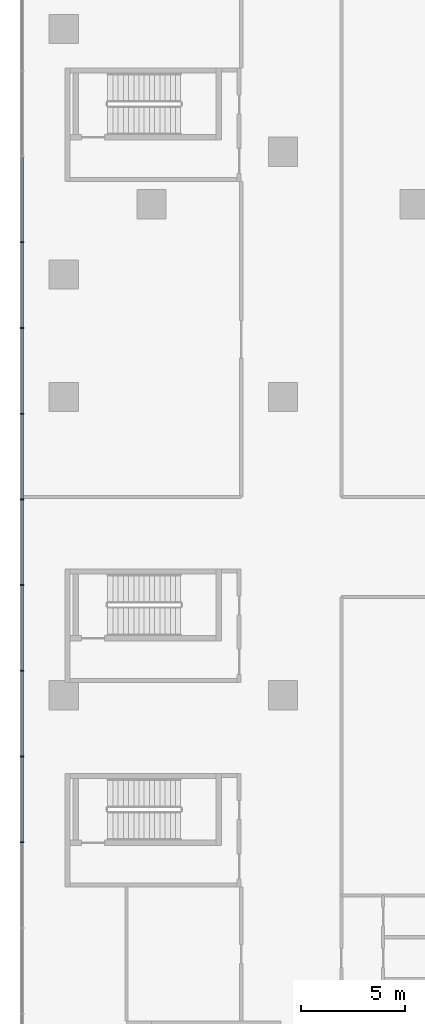
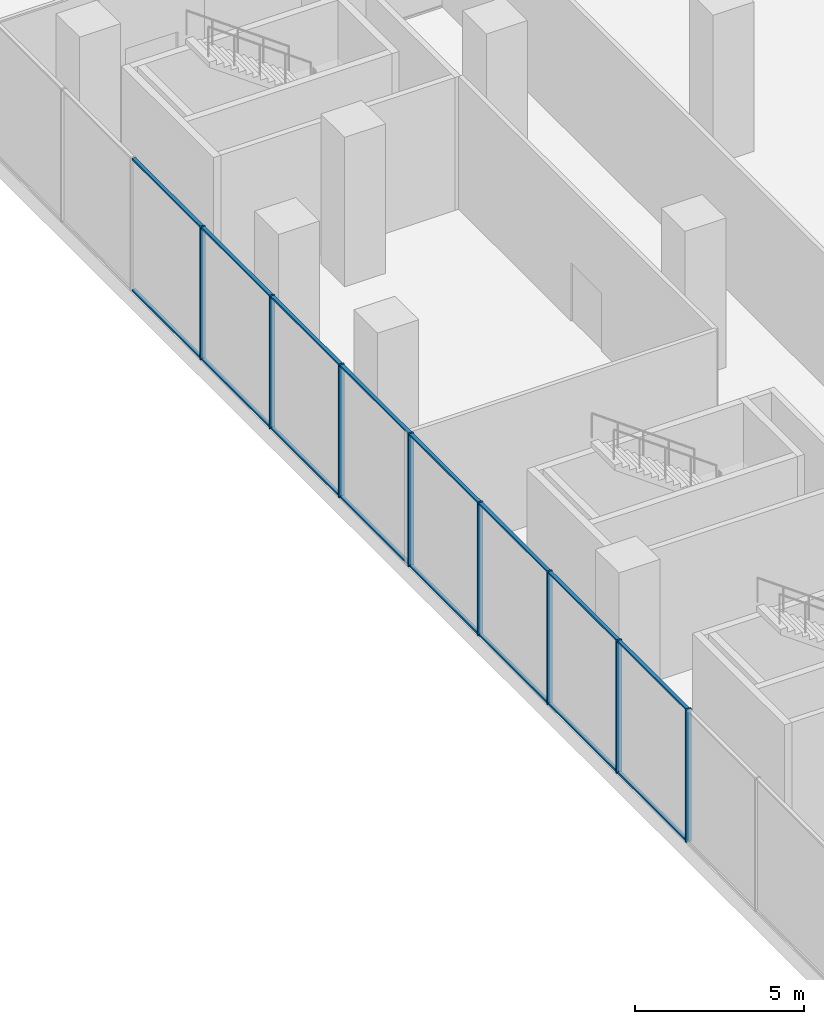
# One storey, part 6 of 24: 24 members, 1 element without a shape of its own.
"""IFC4 building model written with IfcOpenShell, lengths in metres."""

from ifc_helpers import new_model, si_unit, direction, frame, origin, origin_2d, place, context, subcontext, project, spatial, rectangle, extrude, source, transform, mapped, material, layer, layer_set, material_profile, profile_set, type_object, element, aggregate, save


model = new_model("IFC4")

# Units and contexts
model_context = context("Model", 3, precision=1e-05, world=origin(), true_north=direction((0.0, 1.0)))
body_context = subcontext(model_context, "Body", "Model", "MODEL_VIEW")
ifc_project = project(units=[si_unit("LENGTHUNIT", "METRE"), si_unit("AREAUNIT", "SQUARE_METRE"), si_unit("VOLUMEUNIT", "CUBIC_METRE"), si_unit("PLANEANGLEUNIT", "RADIAN"), si_unit("MASSUNIT", "GRAM", prefix="KILO")], contexts=[model_context])

# Site, building, storey
site_placement = place(None, origin())
site = spatial("IfcSite", under=ifc_project, at=site_placement, CompositionType="ELEMENT")
building_placement = place(site_placement, origin())
building = spatial("IfcBuilding", under=site, at=building_placement, Name="Aurelian Terraces", CompositionType="ELEMENT")
storey_placement = place(building_placement, frame((0.0, 0.0, 12.9)))
storey = spatial("IfcBuildingStorey", under=building, at=storey_placement, Name="L02", CompositionType="ELEMENT", Elevation=12.9)

# Curtain wall, members
ifc_material_1 = material(Name="Anodised aluminium and clear glazing", Category="aluminium")
ifc_layer = layer(ifc_material_1, 0.2)
ifc_layer_set = layer_set([ifc_layer], Name="Winter garden glazing curtain wall")
curtain_wall_type = type_object("IfcCurtainWallType", Name="Winter garden glazing curtain wall", PredefinedType="NOTDEFINED", material=ifc_layer_set)
curtain_wall_placement = place(storey_placement, origin())
curtain_wall = element("IfcCurtainWall", 1, at=curtain_wall_placement, inside=storey, type_object=curtain_wall_type, Name="Winter garden glazing L02 F06.1", PredefinedType="NOTDEFINED")
ifc_material_2 = material(Name="Anodised aluminium", Category="aluminium")
ifc_material_profile_1 = material_profile(ifc_material_2, rectangle(XDim=0.12, YDim=0.06, at=origin_2d()))
ifc_profile_set_1 = profile_set([ifc_material_profile_1], Name="Anodised aluminium")
member_type_1 = type_object("IfcMemberType", Name="Winter garden glazing transom", PredefinedType="USERDEFINED", material=ifc_profile_set_1)
member_1_placement = place(storey_placement, frame((-2.0, 63.5767, 0.03), z_axis=(0.0, -1.0, 0.0), x_axis=(1.0, 0.0, 0.0)))
member_1 = element("IfcMember", 2, at=member_1_placement, type_object=member_type_1, Name="CW6 transom 3.1", ObjectType="TRANSOM", PredefinedType="USERDEFINED", context=body_context, shape_type="SweptSolid", body=[
    extrude(rectangle(XDim=0.12, YDim=0.06, at=origin_2d()), origin(), (0.0, 0.0, 1.0), 4.0467),
])
ifc_material_profile_2 = material_profile(ifc_material_2, rectangle(XDim=0.18, YDim=0.06, at=origin_2d()))
ifc_profile_set_2 = profile_set([ifc_material_profile_2], Name="Anodised aluminium")
member_type_2 = type_object("IfcMemberType", Name="Winter garden glazing mullion", PredefinedType="MULLION", material=ifc_profile_set_2)
shared_shape_1 = source(origin(), body_context, "Body", "SweptSolid", [
    extrude(rectangle(XDim=0.18, YDim=0.06, at=origin_2d()), origin(), (0.0, 0.0, 1.0), 4.8),
])
member_2_placement = place(storey_placement, frame((-2.0, 59.5, 0.0), z_axis=(0.0, 0.0, 1.0), x_axis=(1.0, 0.0, 0.0)))
member_2 = element("IfcMember", 3, at=member_2_placement, type_object=member_type_2, Name="CW6 mullion 4", PredefinedType="MULLION", context=body_context, shape_type="MappedRepresentation", body=[
    mapped(shared_shape_1, transform((0.0, 0.0, 0.0), scale=1.0)),
])
member_3_placement = place(storey_placement, frame((-2.0, 55.3933, 0.0), z_axis=(0.0, 0.0, 1.0), x_axis=(1.0, 0.0, 0.0)))
member_3 = element("IfcMember", 4, at=member_3_placement, type_object=member_type_2, Name="CW6 mullion 5", PredefinedType="MULLION", context=body_context, shape_type="MappedRepresentation", body=[
    mapped(shared_shape_1, transform((0.0, 0.0, 0.0), scale=1.0)),
])
member_4_placement = place(storey_placement, frame((-2.0, 51.2867, 0.0), z_axis=(0.0, 0.0, 1.0), x_axis=(1.0, 0.0, 0.0)))
member_4 = element("IfcMember", 5, at=member_4_placement, type_object=member_type_2, Name="CW6 mullion 6", PredefinedType="MULLION", context=body_context, shape_type="MappedRepresentation", body=[
    mapped(shared_shape_1, transform((0.0, 0.0, 0.0), scale=1.0)),
])
member_5_placement = place(storey_placement, frame((-2.0, 47.18, 0.0), z_axis=(0.0, 0.0, 1.0), x_axis=(1.0, 0.0, 0.0)))
member_5 = element("IfcMember", 6, at=member_5_placement, type_object=member_type_2, Name="CW6 mullion 7", PredefinedType="MULLION", context=body_context, shape_type="MappedRepresentation", body=[
    mapped(shared_shape_1, transform((0.0, 0.0, 0.0), scale=1.0)),
])
member_6_placement = place(storey_placement, frame((-2.0, 43.0733, 0.0), z_axis=(0.0, 0.0, 1.0), x_axis=(1.0, 0.0, 0.0)))
member_6 = element("IfcMember", 7, at=member_6_placement, type_object=member_type_2, Name="CW6 mullion 8", PredefinedType="MULLION", context=body_context, shape_type="MappedRepresentation", body=[
    mapped(shared_shape_1, transform((0.0, 0.0, 0.0), scale=1.0)),
])
member_7_placement = place(storey_placement, frame((-2.0, 38.9667, 0.0), z_axis=(0.0, 0.0, 1.0), x_axis=(1.0, 0.0, 0.0)))
member_7 = element("IfcMember", 8, at=member_7_placement, type_object=member_type_2, Name="CW6 mullion 9", PredefinedType="MULLION", context=body_context, shape_type="MappedRepresentation", body=[
    mapped(shared_shape_1, transform((0.0, 0.0, 0.0), scale=1.0)),
])
member_8_placement = place(storey_placement, frame((-2.0, 34.86, 0.0), z_axis=(0.0, 0.0, 1.0), x_axis=(1.0, 0.0, 0.0)))
member_8 = element("IfcMember", 9, at=member_8_placement, type_object=member_type_2, Name="CW6 mullion 10", PredefinedType="MULLION", context=body_context, shape_type="MappedRepresentation", body=[
    mapped(shared_shape_1, transform((0.0, 0.0, 0.0), scale=1.0)),
])
member_9_placement = place(storey_placement, frame((-2.0, 30.7533, 0.0), z_axis=(0.0, 0.0, 1.0), x_axis=(1.0, 0.0, 0.0)))
member_9 = element("IfcMember", 10, at=member_9_placement, type_object=member_type_2, Name="CW6 mullion 11", PredefinedType="MULLION", context=body_context, shape_type="MappedRepresentation", body=[
    mapped(shared_shape_1, transform((0.0, 0.0, 0.0), scale=1.0)),
])
shared_shape_2 = source(origin(), body_context, "Body", "SweptSolid", [
    extrude(rectangle(XDim=0.12, YDim=0.06, at=origin_2d()), origin(), (0.0, 0.0, 1.0), 4.0466),
])
member_10_placement = place(storey_placement, frame((-2.0, 55.3633, 0.03), z_axis=(0.0, -1.0, 0.0), x_axis=(1.0, 0.0, 0.0)))
member_10 = element("IfcMember", 11, at=member_10_placement, type_object=member_type_1, Name="CW6 transom 5.1", ObjectType="TRANSOM", PredefinedType="USERDEFINED", context=body_context, shape_type="MappedRepresentation", body=[
    mapped(shared_shape_2, transform((0.0, 0.0, 0.0), scale=1.0)),
])
member_11_placement = place(storey_placement, frame((-2.0, 55.3633, 4.77), z_axis=(0.0, -1.0, 0.0), x_axis=(1.0, 0.0, 0.0)))
member_11 = element("IfcMember", 12, at=member_11_placement, type_object=member_type_1, Name="CW6 transom 5.2", ObjectType="TRANSOM", PredefinedType="USERDEFINED", context=body_context, shape_type="MappedRepresentation", body=[
    mapped(shared_shape_2, transform((0.0, 0.0, 0.0), scale=1.0)),
])
member_12_placement = place(storey_placement, frame((-2.0, 43.0433, 0.03), z_axis=(0.0, -1.0, 0.0), x_axis=(1.0, 0.0, 0.0)))
member_12 = element("IfcMember", 13, at=member_12_placement, type_object=member_type_1, Name="CW6 transom 8.1", ObjectType="TRANSOM", PredefinedType="USERDEFINED", context=body_context, shape_type="MappedRepresentation", body=[
    mapped(shared_shape_2, transform((0.0, 0.0, 0.0), scale=1.0)),
])
member_13_placement = place(storey_placement, frame((-2.0, 43.0433, 4.77), z_axis=(0.0, -1.0, 0.0), x_axis=(1.0, 0.0, 0.0)))
member_13 = element("IfcMember", 14, at=member_13_placement, type_object=member_type_1, Name="CW6 transom 8.2", ObjectType="TRANSOM", PredefinedType="USERDEFINED", context=body_context, shape_type="MappedRepresentation", body=[
    mapped(shared_shape_2, transform((0.0, 0.0, 0.0), scale=1.0)),
])
shared_shape_3 = source(origin(), body_context, "Body", "SweptSolid", [
    extrude(rectangle(XDim=0.12, YDim=0.06, at=origin_2d()), origin(), (0.0, 0.0, 1.0), 4.0467),
])
member_14_placement = place(storey_placement, frame((-2.0, 63.5767, 4.77), z_axis=(0.0, -1.0, 0.0), x_axis=(1.0, 0.0, 0.0)))
member_14 = element("IfcMember", 15, at=member_14_placement, type_object=member_type_1, Name="CW6 transom 3.2", ObjectType="TRANSOM", PredefinedType="USERDEFINED", context=body_context, shape_type="MappedRepresentation", body=[
    mapped(shared_shape_3, transform((0.0, 0.0, 0.0), scale=1.0)),
])
member_15_placement = place(storey_placement, frame((-2.0, 59.47, 0.03), z_axis=(0.0, -1.0, 0.0), x_axis=(1.0, 0.0, 0.0)))
member_15 = element("IfcMember", 16, at=member_15_placement, type_object=member_type_1, Name="CW6 transom 4.1", ObjectType="TRANSOM", PredefinedType="USERDEFINED", context=body_context, shape_type="MappedRepresentation", body=[
    mapped(shared_shape_3, transform((0.0, 0.0, 0.0), scale=1.0)),
])
member_16_placement = place(storey_placement, frame((-2.0, 59.47, 4.77), z_axis=(0.0, -1.0, 0.0), x_axis=(1.0, 0.0, 0.0)))
member_16 = element("IfcMember", 17, at=member_16_placement, type_object=member_type_1, Name="CW6 transom 4.2", ObjectType="TRANSOM", PredefinedType="USERDEFINED", context=body_context, shape_type="MappedRepresentation", body=[
    mapped(shared_shape_3, transform((0.0, 0.0, 0.0), scale=1.0)),
])
member_17_placement = place(storey_placement, frame((-2.0, 51.2567, 0.03), z_axis=(0.0, -1.0, 0.0), x_axis=(1.0, 0.0, 0.0)))
member_17 = element("IfcMember", 18, at=member_17_placement, type_object=member_type_1, Name="CW6 transom 6.1", ObjectType="TRANSOM", PredefinedType="USERDEFINED", context=body_context, shape_type="MappedRepresentation", body=[
    mapped(shared_shape_3, transform((0.0, 0.0, 0.0), scale=1.0)),
])
member_18_placement = place(storey_placement, frame((-2.0, 51.2567, 4.77), z_axis=(0.0, -1.0, 0.0), x_axis=(1.0, 0.0, 0.0)))
member_18 = element("IfcMember", 19, at=member_18_placement, type_object=member_type_1, Name="CW6 transom 6.2", ObjectType="TRANSOM", PredefinedType="USERDEFINED", context=body_context, shape_type="MappedRepresentation", body=[
    mapped(shared_shape_3, transform((0.0, 0.0, 0.0), scale=1.0)),
])
member_19_placement = place(storey_placement, frame((-2.0, 47.15, 0.03), z_axis=(0.0, -1.0, 0.0), x_axis=(1.0, 0.0, 0.0)))
member_19 = element("IfcMember", 20, at=member_19_placement, type_object=member_type_1, Name="CW6 transom 7.1", ObjectType="TRANSOM", PredefinedType="USERDEFINED", context=body_context, shape_type="MappedRepresentation", body=[
    mapped(shared_shape_3, transform((0.0, 0.0, 0.0), scale=1.0)),
])
member_20_placement = place(storey_placement, frame((-2.0, 47.15, 4.77), z_axis=(0.0, -1.0, 0.0), x_axis=(1.0, 0.0, 0.0)))
member_20 = element("IfcMember", 21, at=member_20_placement, type_object=member_type_1, Name="CW6 transom 7.2", ObjectType="TRANSOM", PredefinedType="USERDEFINED", context=body_context, shape_type="MappedRepresentation", body=[
    mapped(shared_shape_3, transform((0.0, 0.0, 0.0), scale=1.0)),
])
member_21_placement = place(storey_placement, frame((-2.0, 38.9367, 0.03), z_axis=(0.0, -1.0, 0.0), x_axis=(1.0, 0.0, 0.0)))
member_21 = element("IfcMember", 22, at=member_21_placement, type_object=member_type_1, Name="CW6 transom 9.1", ObjectType="TRANSOM", PredefinedType="USERDEFINED", context=body_context, shape_type="MappedRepresentation", body=[
    mapped(shared_shape_3, transform((0.0, 0.0, 0.0), scale=1.0)),
])
member_22_placement = place(storey_placement, frame((-2.0, 38.9367, 4.77), z_axis=(0.0, -1.0, 0.0), x_axis=(1.0, 0.0, 0.0)))
member_22 = element("IfcMember", 23, at=member_22_placement, type_object=member_type_1, Name="CW6 transom 9.2", ObjectType="TRANSOM", PredefinedType="USERDEFINED", context=body_context, shape_type="MappedRepresentation", body=[
    mapped(shared_shape_3, transform((0.0, 0.0, 0.0), scale=1.0)),
])
member_23_placement = place(storey_placement, frame((-2.0, 34.83, 0.03), z_axis=(0.0, -1.0, 0.0), x_axis=(1.0, 0.0, 0.0)))
member_23 = element("IfcMember", 24, at=member_23_placement, type_object=member_type_1, Name="CW6 transom 10.1", ObjectType="TRANSOM", PredefinedType="USERDEFINED", context=body_context, shape_type="MappedRepresentation", body=[
    mapped(shared_shape_3, transform((0.0, 0.0, 0.0), scale=1.0)),
])
member_24_placement = place(storey_placement, frame((-2.0, 34.83, 4.77), z_axis=(0.0, -1.0, 0.0), x_axis=(1.0, 0.0, 0.0)))
member_24 = element("IfcMember", 25, at=member_24_placement, type_object=member_type_1, Name="CW6 transom 10.2", ObjectType="TRANSOM", PredefinedType="USERDEFINED", context=body_context, shape_type="MappedRepresentation", body=[
    mapped(shared_shape_3, transform((0.0, 0.0, 0.0), scale=1.0)),
])
aggregate(curtain_wall, [member_2, member_3, member_4, member_5, member_6, member_7, member_8, member_9, member_1, member_14, member_15, member_16, member_10, member_11, member_17, member_18, member_19, member_20, member_12, member_13, member_21, member_22, member_23, member_24])

save(model, "model.ifc")
